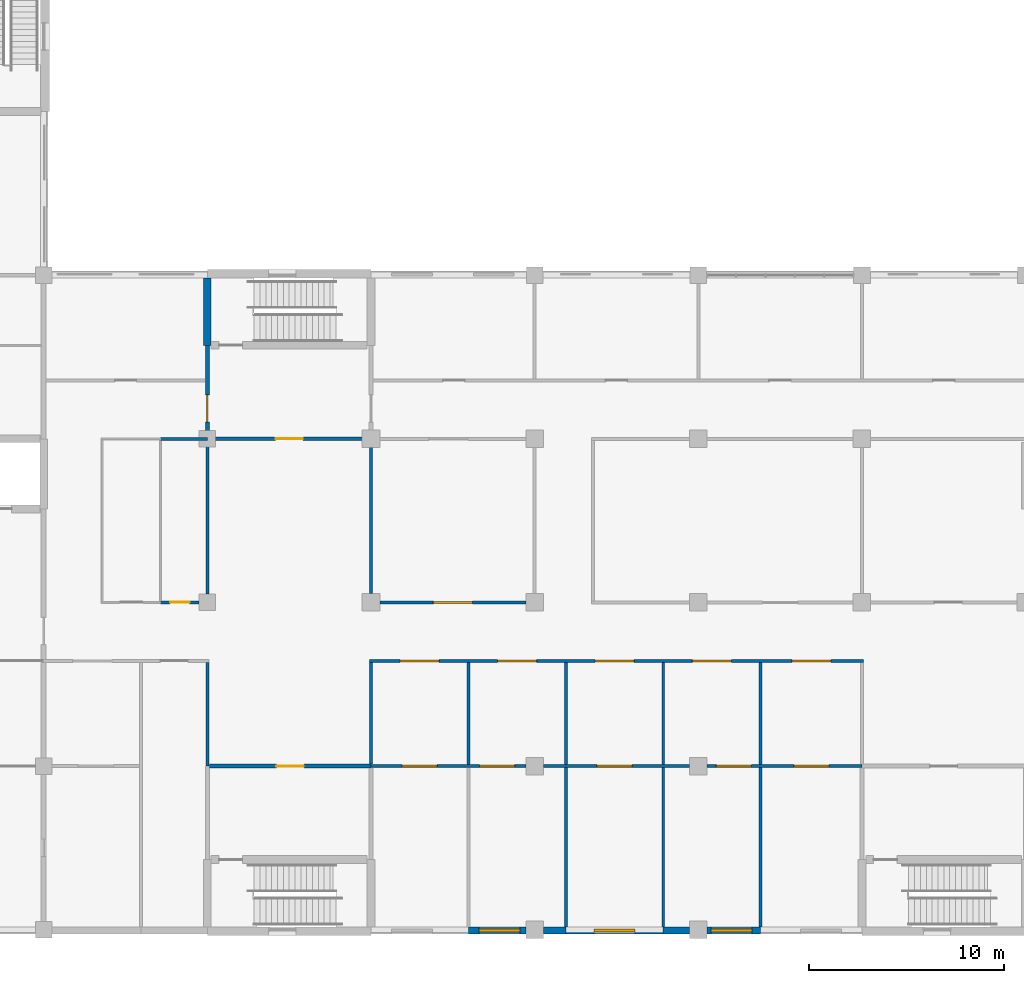
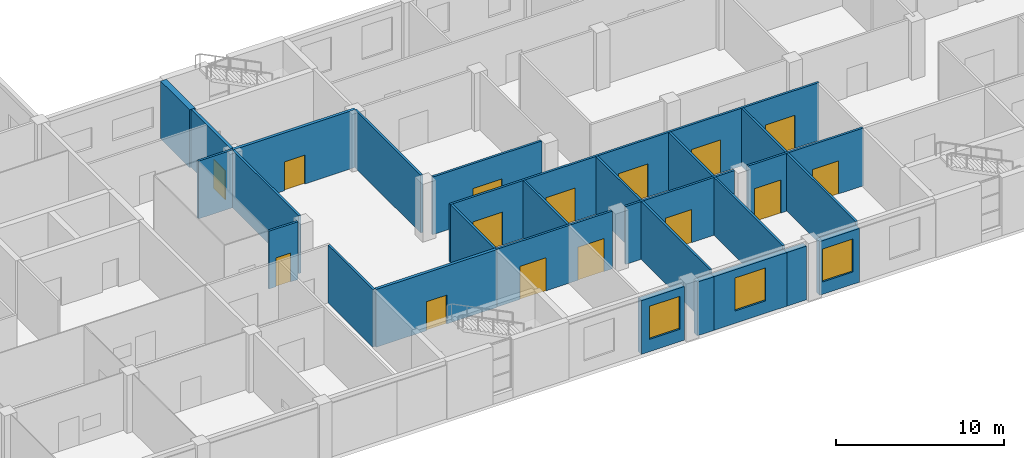
# One storey, part 34 of 66: 27 walls, 15 doors, 3 windows, 18 openings.
"""IFC4 building model written with IfcOpenShell, lengths in metres."""

from ifc_helpers import new_model, si_unit, direction, frame, frame_2d, origin, place, context, subcontext, project, spatial, rectangle, extrude, material, layer, layer_set, type_object, element, fill, save


model = new_model("IFC4")

# Units and contexts
model_context = context("Model", 3, precision=1e-05, world=origin(), true_north=direction((0.0, 1.0)))
body_context = subcontext(model_context, "Body", "Model", "MODEL_VIEW")
ifc_project = project(units=[si_unit("LENGTHUNIT", "METRE"), si_unit("AREAUNIT", "SQUARE_METRE"), si_unit("VOLUMEUNIT", "CUBIC_METRE"), si_unit("PLANEANGLEUNIT", "RADIAN"), si_unit("MASSUNIT", "GRAM", prefix="KILO")], contexts=[model_context])

# Site, building, storey
site_placement = place(None, origin())
site = spatial("IfcSite", under=ifc_project, at=site_placement, CompositionType="ELEMENT")
building_placement = place(site_placement, origin())
building = spatial("IfcBuilding", under=site, at=building_placement, Name="Yavir Park General Hospital", CompositionType="ELEMENT")
storey_placement = place(building_placement, frame((0.0, 0.0, 8.39990234375)))
storey = spatial("IfcBuildingStorey", under=building, at=storey_placement, Name="L02", CompositionType="ELEMENT", Elevation=8.39990234375)

# Wall, opening, door
ifc_material_1 = material(Name="Double gypsum board fire partition on steel studs", Category="steel")
ifc_layer_1 = layer(ifc_material_1, 0.199951171875)
ifc_layer_set_1 = layer_set([ifc_layer_1], Name="Double gypsum board fire partition on steel studs")
wall_type_1 = type_object("IfcWallType", Name="Fire-rated partition 200, EI 60", PredefinedType="PARTITIONING", material=ifc_layer_set_1)
wall_1_placement = place(storey_placement, frame((33.699951171875, 8.39990234375, 0.0), z_axis=(0.0, 0.0, 1.0), x_axis=(1.0, 0.0, 0.0)))
wall_1 = element("IfcWall", 1, at=wall_1_placement, inside=storey, type_object=wall_type_1, Name="FP20 L02-011", PredefinedType="PARTITIONING", context=body_context, shape_type="SweptSolid", body=[
    extrude(rectangle(XDim=8.300048828125, YDim=0.199951171875, at=frame_2d((4.14990234375, 0.0))), origin(), (0.0, 0.0, 1.0), 4.2001953125),
])
opening_1_placement = place(wall_1_placement, frame((3.449951171875, 0.0, 0.0)))
opening_1 = element("IfcOpeningElement", 2, at=opening_1_placement, cuts=wall_1, Name="Opening L02.D018", PredefinedType="OPENING", context=body_context, shape_type="SweptSolid", body=[
    extrude(rectangle(XDim=1.39990234375, YDim=2.10009765625, at=frame_2d((0.699951171875, 1.050048828125))), frame((0.0, 0.10986328125, 0.0), z_axis=(0.0, -1.0, 0.0), x_axis=(1.0, 0.0, 0.0)), (0.0, 0.0, 1.0), 0.219970703125),
])
ifc_material_2 = material(Name="Steel frame, fire-resisting timber leaves", Category="steel")
door_type_1 = type_object("IfcDoorType", Name="Double fire door 1400 x 2100, EI 60", OperationType="DOUBLE_DOOR_SINGLE_SWING", PredefinedType="DOOR", material=ifc_material_2)
door_1_placement = place(opening_1_placement, origin())
door_1 = element("IfcDoor", 3, at=door_1_placement, inside=storey, type_object=door_type_1, Name="L02.D018", OperationType="SINGLE_SWING_RIGHT", OverallHeight=2.10009765625, OverallWidth=1.39990234375, PredefinedType="DOOR", context=body_context, shape_type="SweptSolid", body=[
    extrude(rectangle(XDim=1.39990234375, YDim=2.10009765625, at=frame_2d((0.699951171875, 1.050048828125))), frame((0.0, 0.02490234375, 0.0), z_axis=(0.0, -1.0, 0.0), x_axis=(1.0, 0.0, 0.0)), (0.0, 0.0, 1.0), 0.050048828125),
])
fill(opening_1, door_1)

wall_2_placement = place(storey_placement, frame((33.60009765625, 25.199951171875, 0.0), z_axis=(0.0, 0.0, 1.0), x_axis=(1.0, 0.0, 0.0)))
wall_2 = element("IfcWall", 4, at=wall_2_placement, inside=storey, type_object=wall_type_1, Name="FP20 L02-059", PredefinedType="PARTITIONING", context=body_context, shape_type="SweptSolid", body=[
    extrude(rectangle(XDim=8.39990234375, YDim=0.199951171875, at=frame_2d((4.199951171875, 0.0))), origin(), (0.0, 0.0, 1.0), 4.2001953125),
])
opening_2_placement = place(wall_2_placement, frame((3.5, 0.0, 0.0)))
opening_2 = element("IfcOpeningElement", 5, at=opening_2_placement, cuts=wall_2, Name="Opening L02.D074", PredefinedType="OPENING", context=body_context, shape_type="SweptSolid", body=[
    extrude(rectangle(XDim=1.39990234375, YDim=2.10009765625, at=frame_2d((0.699951171875, 1.050048828125))), frame((0.0, 0.10986328125, 0.0), z_axis=(0.0, -1.0, 0.0), x_axis=(1.0, 0.0, 0.0)), (0.0, 0.0, 1.0), 0.219970703125),
])
door_2_placement = place(opening_2_placement, origin())
door_2 = element("IfcDoor", 6, at=door_2_placement, inside=storey, type_object=door_type_1, Name="L02.D074", OperationType="SINGLE_SWING_RIGHT", OverallHeight=2.10009765625, OverallWidth=1.39990234375, PredefinedType="DOOR", context=body_context, shape_type="SweptSolid", body=[
    extrude(rectangle(XDim=1.39990234375, YDim=2.10009765625, at=frame_2d((0.699951171875, 1.050048828125))), frame((0.0, 0.02490234375, 0.0), z_axis=(0.0, -1.0, 0.0), x_axis=(1.0, 0.0, 0.0)), (0.0, 0.0, 1.0), 0.050048828125),
])
fill(opening_2, door_2)

wall_3_placement = place(storey_placement, frame((33.60009765625, 25.300048828125, 0.0), z_axis=(0.0, 0.0, 1.0), x_axis=(0.0, 1.0, 0.0)))
wall_3 = element("IfcWall", 7, at=wall_3_placement, inside=storey, type_object=wall_type_1, Name="FP20 L02-228", PredefinedType="PARTITIONING", context=body_context, shape_type="SweptSolid", body=[
    extrude(rectangle(XDim=4.699951171875, YDim=0.199951171875, at=frame_2d((2.35009765625, 0.0))), origin(), (0.0, 0.0, 1.0), 4.2001953125),
])
opening_3_placement = place(wall_3_placement, frame((0.75, 0.0, 0.0)))
opening_3 = element("IfcOpeningElement", 8, at=opening_3_placement, cuts=wall_3, Name="Opening L02.D176", PredefinedType="OPENING", context=body_context, shape_type="SweptSolid", body=[
    extrude(rectangle(XDim=1.39990234375, YDim=2.10009765625, at=frame_2d((0.699951171875, 1.050048828125))), frame((0.0, 0.10986328125, 0.0), z_axis=(0.0, -1.0, 0.0), x_axis=(1.0, 0.0, 0.0)), (0.0, 0.0, 1.0), 0.219970703125),
])
ifc_material_3 = material(Name="Steel frame, fire-resisting leaves with vision panels", Category="steel")
door_type_2 = type_object("IfcDoorType", Name="Double fire door with vision panels 1400 x 2100, EI 60", OperationType="DOUBLE_DOOR_SINGLE_SWING", PredefinedType="DOOR", material=ifc_material_3)
door_3_placement = place(opening_3_placement, origin())
door_3 = element("IfcDoor", 9, at=door_3_placement, inside=storey, type_object=door_type_2, Name="L02.D176", OperationType="SINGLE_SWING_LEFT", OverallHeight=2.10009765625, OverallWidth=1.39990234375, PredefinedType="DOOR", context=body_context, shape_type="SweptSolid", body=[
    extrude(rectangle(XDim=1.39990234375, YDim=2.10009765625, at=frame_2d((0.699951171875, 1.050048828125))), frame((0.0, 0.030029296875, 0.0), z_axis=(0.0, -1.0, 0.0), x_axis=(1.0, 0.0, 0.0)), (0.0, 0.0, 1.0), 0.06005859375),
])
fill(opening_3, door_3)

# Wall, openings, doors
ifc_material_4 = material(Name="Gypsum board partition on steel studs", Category="steel")
ifc_layer_2 = layer(ifc_material_4, 0.14990234375)
ifc_layer_set_2 = layer_set([ifc_layer_2], Name="Gypsum board partition on steel studs")
wall_type_2 = type_object("IfcWallType", Name="Gypsum board partition 150", PredefinedType="PARTITIONING", material=ifc_layer_set_2)
wall_4_placement = place(storey_placement, frame((42.0, 8.39990234375, 0.0), z_axis=(0.0, 0.0, 1.0), x_axis=(1.0, 0.0, 0.0)))
wall_4 = element("IfcWall", 10, at=wall_4_placement, inside=storey, type_object=wall_type_2, Name="P15 L02-012", PredefinedType="PARTITIONING", context=body_context, shape_type="SweptSolid", body=[
    extrude(rectangle(XDim=7.949951171875, YDim=0.14990234375, at=frame_2d((3.97509765625, 0.0))), origin(), (0.0, 0.0, 1.0), 4.2001953125),
])
opening_4_placement = place(wall_4_placement, frame((1.60009765625, 0.0, 0.0)))
opening_4 = element("IfcOpeningElement", 11, at=opening_4_placement, cuts=wall_4, Name="Opening L02.D019", PredefinedType="OPENING", context=body_context, shape_type="SweptSolid", body=[
    extrude(rectangle(XDim=1.800048828125, YDim=2.39990234375, at=frame_2d((0.89990234375, 1.199951171875))), frame((0.0, 0.0849609375, 0.0), z_axis=(0.0, -1.0, 0.0), x_axis=(1.0, 0.0, 0.0)), (0.0, 0.0, 1.0), 0.169921875),
])
opening_5_placement = place(wall_4_placement, frame((5.574951171875, 0.0, 0.0)))
opening_5 = element("IfcOpeningElement", 12, at=opening_5_placement, cuts=wall_4, Name="Opening L02.D020", PredefinedType="OPENING", context=body_context, shape_type="SweptSolid", body=[
    extrude(rectangle(XDim=1.800048828125, YDim=2.39990234375, at=frame_2d((0.89990234375, 1.199951171875))), frame((0.0, 0.0849609375, 0.0), z_axis=(0.0, -1.0, 0.0), x_axis=(1.0, 0.0, 0.0)), (0.0, 0.0, 1.0), 0.169921875),
])
ifc_material_5 = material(Name="Hermetic steel-faced sliding leaves, hygienic coating", Category="steel")
door_type_3 = type_object("IfcDoorType", Name="Sterile bi-parting sliding door 1800 x 2400", OperationType="DOUBLE_DOOR_SLIDING", PredefinedType="DOOR", material=ifc_material_5)
door_4_placement = place(opening_4_placement, origin())
door_4 = element("IfcDoor", 13, at=door_4_placement, inside=storey, type_object=door_type_3, Name="L02.D019", OperationType="DOUBLE_DOOR_SLIDING", OverallHeight=2.39990234375, OverallWidth=1.800048828125, PredefinedType="DOOR", context=body_context, shape_type="SweptSolid", body=[
    extrude(rectangle(XDim=1.800048828125, YDim=2.39990234375, at=frame_2d((0.89990234375, 1.199951171875))), frame((0.0, 0.044921875, 0.0), z_axis=(0.0, -1.0, 0.0), x_axis=(1.0, 0.0, 0.0)), (0.0, 0.0, 1.0), 0.090087890625),
])
fill(opening_4, door_4)
door_5_placement = place(opening_5_placement, origin())
door_5 = element("IfcDoor", 14, at=door_5_placement, inside=storey, type_object=door_type_3, Name="L02.D020", OperationType="DOUBLE_DOOR_SLIDING", OverallHeight=2.39990234375, OverallWidth=1.800048828125, PredefinedType="DOOR", context=body_context, shape_type="SweptSolid", body=[
    extrude(rectangle(XDim=1.800048828125, YDim=2.39990234375, at=frame_2d((0.89990234375, 1.199951171875))), frame((0.0, 0.044921875, 0.0), z_axis=(0.0, -1.0, 0.0), x_axis=(1.0, 0.0, 0.0)), (0.0, 0.0, 1.0), 0.090087890625),
])
fill(opening_5, door_5)

# Wall, opening, door
wall_5_placement = place(storey_placement, frame((50.85009765625, 8.39990234375, 0.0), z_axis=(0.0, 0.0, 1.0), x_axis=(1.0, 0.0, 0.0)))
wall_5 = element("IfcWall", 15, at=wall_5_placement, inside=storey, type_object=wall_type_2, Name="P15 L02-013", PredefinedType="PARTITIONING", context=body_context, shape_type="SweptSolid", body=[
    extrude(rectangle(XDim=7.5, YDim=0.14990234375, at=frame_2d((3.75, 0.0))), origin(), (0.0, 0.0, 1.0), 4.2001953125),
])
opening_6_placement = place(wall_5_placement, frame((2.75, 0.0, 0.0)))
opening_6 = element("IfcOpeningElement", 16, at=opening_6_placement, cuts=wall_5, Name="Opening L02.D021", PredefinedType="OPENING", context=body_context, shape_type="SweptSolid", body=[
    extrude(rectangle(XDim=1.800048828125, YDim=2.39990234375, at=frame_2d((0.89990234375, 1.199951171875))), frame((0.0, 0.0849609375, 0.0), z_axis=(0.0, -1.0, 0.0), x_axis=(1.0, 0.0, 0.0)), (0.0, 0.0, 1.0), 0.169921875),
])
door_6_placement = place(opening_6_placement, origin())
door_6 = element("IfcDoor", 17, at=door_6_placement, inside=storey, type_object=door_type_3, Name="L02.D021", OperationType="DOUBLE_DOOR_SLIDING", OverallHeight=2.39990234375, OverallWidth=1.800048828125, PredefinedType="DOOR", context=body_context, shape_type="SweptSolid", body=[
    extrude(rectangle(XDim=1.800048828125, YDim=2.39990234375, at=frame_2d((0.89990234375, 1.199951171875))), frame((0.0, 0.044921875, 0.0), z_axis=(0.0, -1.0, 0.0), x_axis=(1.0, 0.0, 0.0)), (0.0, 0.0, 1.0), 0.090087890625),
])
fill(opening_6, door_6)

# Wall, openings, doors
wall_6_placement = place(storey_placement, frame((59.25, 8.39990234375, 0.0), z_axis=(0.0, 0.0, 1.0), x_axis=(1.0, 0.0, 0.0)))
wall_6 = element("IfcWall", 18, at=wall_6_placement, inside=storey, type_object=wall_type_2, Name="P15 L02-014", PredefinedType="PARTITIONING", context=body_context, shape_type="SweptSolid", body=[
    extrude(rectangle(XDim=7.949951171875, YDim=0.14990234375, at=frame_2d((3.97509765625, 0.0))), origin(), (0.0, 0.0, 1.0), 4.2001953125),
])
opening_7_placement = place(wall_6_placement, frame((0.47509765625, 0.0, 0.0)))
opening_7 = element("IfcOpeningElement", 19, at=opening_7_placement, cuts=wall_6, Name="Opening L02.D022", PredefinedType="OPENING", context=body_context, shape_type="SweptSolid", body=[
    extrude(rectangle(XDim=1.800048828125, YDim=2.39990234375, at=frame_2d((0.89990234375, 1.199951171875))), frame((0.0, 0.0849609375, 0.0), z_axis=(0.0, -1.0, 0.0), x_axis=(1.0, 0.0, 0.0)), (0.0, 0.0, 1.0), 0.169921875),
])
opening_8_placement = place(wall_6_placement, frame((4.449951171875, 0.0, 0.0)))
opening_8 = element("IfcOpeningElement", 20, at=opening_8_placement, cuts=wall_6, Name="Opening L02.D023", PredefinedType="OPENING", context=body_context, shape_type="SweptSolid", body=[
    extrude(rectangle(XDim=1.800048828125, YDim=2.39990234375, at=frame_2d((0.89990234375, 1.199951171875))), frame((0.0, 0.0849609375, 0.0), z_axis=(0.0, -1.0, 0.0), x_axis=(1.0, 0.0, 0.0)), (0.0, 0.0, 1.0), 0.169921875),
])
door_7_placement = place(opening_7_placement, origin())
door_7 = element("IfcDoor", 21, at=door_7_placement, inside=storey, type_object=door_type_3, Name="L02.D022", OperationType="DOUBLE_DOOR_SLIDING", OverallHeight=2.39990234375, OverallWidth=1.800048828125, PredefinedType="DOOR", context=body_context, shape_type="SweptSolid", body=[
    extrude(rectangle(XDim=1.800048828125, YDim=2.39990234375, at=frame_2d((0.89990234375, 1.199951171875))), frame((0.0, 0.044921875, 0.0), z_axis=(0.0, -1.0, 0.0), x_axis=(1.0, 0.0, 0.0)), (0.0, 0.0, 1.0), 0.090087890625),
])
fill(opening_7, door_7)
door_8_placement = place(opening_8_placement, origin())
door_8 = element("IfcDoor", 22, at=door_8_placement, inside=storey, type_object=door_type_3, Name="L02.D023", OperationType="DOUBLE_DOOR_SLIDING", OverallHeight=2.39990234375, OverallWidth=1.800048828125, PredefinedType="DOOR", context=body_context, shape_type="SweptSolid", body=[
    extrude(rectangle(XDim=1.800048828125, YDim=2.39990234375, at=frame_2d((0.89990234375, 1.199951171875))), frame((0.0, 0.044921875, 0.0), z_axis=(0.0, -1.0, 0.0), x_axis=(1.0, 0.0, 0.0)), (0.0, 0.0, 1.0), 0.090087890625),
])
fill(opening_8, door_8)

wall_7_placement = place(storey_placement, frame((41.925048828125, 13.800048828125, 0.0), z_axis=(0.0, 0.0, 1.0), x_axis=(1.0, 0.0, 0.0)))
wall_7 = element("IfcWall", 23, at=wall_7_placement, inside=storey, type_object=wall_type_2, Name="P15 L02-028", PredefinedType="PARTITIONING", context=body_context, shape_type="SweptSolid", body=[
    extrude(rectangle(XDim=25.349853515625, YDim=0.14990234375, at=frame_2d((12.6748046875, 0.0))), origin(), (0.0, 0.0, 1.0), 4.2001953125),
])
opening_9_placement = place(wall_7_placement, frame((1.574951171875, 0.0, 0.0)))
opening_9 = element("IfcOpeningElement", 24, at=opening_9_placement, cuts=wall_7, Name="Opening L02.D043", PredefinedType="OPENING", context=body_context, shape_type="SweptSolid", body=[
    extrude(rectangle(XDim=2.0, YDim=2.39990234375, at=frame_2d((1.0, 1.199951171875))), frame((0.0, 0.0849609375, 0.0), z_axis=(0.0, -1.0, 0.0), x_axis=(1.0, 0.0, 0.0)), (0.0, 0.0, 1.0), 0.169921875),
])
opening_10_placement = place(wall_7_placement, frame((6.574951171875, 0.0, 0.0)))
opening_10 = element("IfcOpeningElement", 25, at=opening_10_placement, cuts=wall_7, Name="Opening L02.D044", PredefinedType="OPENING", context=body_context, shape_type="SweptSolid", body=[
    extrude(rectangle(XDim=2.0, YDim=2.39990234375, at=frame_2d((1.0, 1.199951171875))), frame((0.0, 0.0849609375, 0.0), z_axis=(0.0, -1.0, 0.0), x_axis=(1.0, 0.0, 0.0)), (0.0, 0.0, 1.0), 0.169921875),
])
opening_11_placement = place(wall_7_placement, frame((11.574951171875, 0.0, 0.0)))
opening_11 = element("IfcOpeningElement", 26, at=opening_11_placement, cuts=wall_7, Name="Opening L02.D045", PredefinedType="OPENING", context=body_context, shape_type="SweptSolid", body=[
    extrude(rectangle(XDim=2.0, YDim=2.39990234375, at=frame_2d((1.0, 1.199951171875))), frame((0.0, 0.0849609375, 0.0), z_axis=(0.0, -1.0, 0.0), x_axis=(1.0, 0.0, 0.0)), (0.0, 0.0, 1.0), 0.169921875),
])
opening_12_placement = place(wall_7_placement, frame((16.574951171875, 0.0, 0.0)))
opening_12 = element("IfcOpeningElement", 27, at=opening_12_placement, cuts=wall_7, Name="Opening L02.D046", PredefinedType="OPENING", context=body_context, shape_type="SweptSolid", body=[
    extrude(rectangle(XDim=2.0, YDim=2.39990234375, at=frame_2d((1.0, 1.199951171875))), frame((0.0, 0.0849609375, 0.0), z_axis=(0.0, -1.0, 0.0), x_axis=(1.0, 0.0, 0.0)), (0.0, 0.0, 1.0), 0.169921875),
])
opening_13_placement = place(wall_7_placement, frame((21.675048828125, 0.0, 0.0)))
opening_13 = element("IfcOpeningElement", 28, at=opening_13_placement, cuts=wall_7, Name="Opening L02.D047", PredefinedType="OPENING", context=body_context, shape_type="SweptSolid", body=[
    extrude(rectangle(XDim=2.0, YDim=2.39990234375, at=frame_2d((1.0, 1.199951171875))), frame((0.0, 0.0849609375, 0.0), z_axis=(0.0, -1.0, 0.0), x_axis=(1.0, 0.0, 0.0)), (0.0, 0.0, 1.0), 0.169921875),
])
ifc_material_6 = material(Name="Hermetic steel-faced sliding leaves, hygienic coating", Category="steel")
door_type_4 = type_object("IfcDoorType", Name="Sterile bi-parting sliding door 2000 x 2400", OperationType="DOUBLE_DOOR_SLIDING", PredefinedType="DOOR", material=ifc_material_6)
door_9_placement = place(opening_9_placement, origin())
door_9 = element("IfcDoor", 29, at=door_9_placement, inside=storey, type_object=door_type_4, Name="L02.D043", OperationType="DOUBLE_DOOR_SLIDING", OverallHeight=2.39990234375, OverallWidth=2.0, PredefinedType="DOOR", context=body_context, shape_type="SweptSolid", body=[
    extrude(rectangle(XDim=2.0, YDim=2.39990234375, at=frame_2d((1.0, 1.199951171875))), frame((0.0, 0.044921875, 0.0), z_axis=(0.0, -1.0, 0.0), x_axis=(1.0, 0.0, 0.0)), (0.0, 0.0, 1.0), 0.090087890625),
])
fill(opening_9, door_9)
door_10_placement = place(opening_10_placement, origin())
door_10 = element("IfcDoor", 30, at=door_10_placement, inside=storey, type_object=door_type_4, Name="L02.D044", OperationType="DOUBLE_DOOR_SLIDING", OverallHeight=2.39990234375, OverallWidth=2.0, PredefinedType="DOOR", context=body_context, shape_type="SweptSolid", body=[
    extrude(rectangle(XDim=2.0, YDim=2.39990234375, at=frame_2d((1.0, 1.199951171875))), frame((0.0, 0.044921875, 0.0), z_axis=(0.0, -1.0, 0.0), x_axis=(1.0, 0.0, 0.0)), (0.0, 0.0, 1.0), 0.090087890625),
])
fill(opening_10, door_10)
door_11_placement = place(opening_11_placement, origin())
door_11 = element("IfcDoor", 31, at=door_11_placement, inside=storey, type_object=door_type_4, Name="L02.D045", OperationType="DOUBLE_DOOR_SLIDING", OverallHeight=2.39990234375, OverallWidth=2.0, PredefinedType="DOOR", context=body_context, shape_type="SweptSolid", body=[
    extrude(rectangle(XDim=2.0, YDim=2.39990234375, at=frame_2d((1.0, 1.199951171875))), frame((0.0, 0.044921875, 0.0), z_axis=(0.0, -1.0, 0.0), x_axis=(1.0, 0.0, 0.0)), (0.0, 0.0, 1.0), 0.090087890625),
])
fill(opening_11, door_11)
door_12_placement = place(opening_12_placement, origin())
door_12 = element("IfcDoor", 32, at=door_12_placement, inside=storey, type_object=door_type_4, Name="L02.D046", OperationType="DOUBLE_DOOR_SLIDING", OverallHeight=2.39990234375, OverallWidth=2.0, PredefinedType="DOOR", context=body_context, shape_type="SweptSolid", body=[
    extrude(rectangle(XDim=2.0, YDim=2.39990234375, at=frame_2d((1.0, 1.199951171875))), frame((0.0, 0.044921875, 0.0), z_axis=(0.0, -1.0, 0.0), x_axis=(1.0, 0.0, 0.0)), (0.0, 0.0, 1.0), 0.090087890625),
])
fill(opening_12, door_12)
door_13_placement = place(opening_13_placement, origin())
door_13 = element("IfcDoor", 33, at=door_13_placement, inside=storey, type_object=door_type_4, Name="L02.D047", OperationType="DOUBLE_DOOR_SLIDING", OverallHeight=2.39990234375, OverallWidth=2.0, PredefinedType="DOOR", context=body_context, shape_type="SweptSolid", body=[
    extrude(rectangle(XDim=2.0, YDim=2.39990234375, at=frame_2d((1.0, 1.199951171875))), frame((0.0, 0.044921875, 0.0), z_axis=(0.0, -1.0, 0.0), x_axis=(1.0, 0.0, 0.0)), (0.0, 0.0, 1.0), 0.090087890625),
])
fill(opening_13, door_13)

# Wall, opening, door
wall_8_placement = place(storey_placement, frame((31.199951171875, 16.800048828125, 0.0), z_axis=(0.0, 0.0, 1.0), x_axis=(1.0, 0.0, 0.0)))
wall_8 = element("IfcWall", 34, at=wall_8_placement, inside=storey, type_object=wall_type_2, Name="P15 L02-038", PredefinedType="PARTITIONING", context=body_context, shape_type="SweptSolid", body=[
    extrude(rectangle(XDim=1.97509765625, YDim=0.14990234375, at=frame_2d((0.987548828125, 0.0))), origin(), (0.0, 0.0, 1.0), 4.2001953125),
])
opening_14_placement = place(wall_8_placement, frame((0.487548828125, 0.0, 0.0)))
opening_14 = element("IfcOpeningElement", 35, at=opening_14_placement, cuts=wall_8, Name="Opening L02.D055", PredefinedType="OPENING", context=body_context, shape_type="SweptSolid", body=[
    extrude(rectangle(XDim=1.0, YDim=2.10009765625, at=frame_2d((0.5, 1.050048828125))), frame((0.0, 0.0849609375, 0.0), z_axis=(0.0, -1.0, 0.0), x_axis=(1.0, 0.0, 0.0)), (0.0, 0.0, 1.0), 0.169921875),
])
ifc_material_7 = material(Name="Hollow metal frame, solid-core timber leaf", Category="wood")
door_type_5 = type_object("IfcDoorType", Name="Single swing door 1000 x 2100", OperationType="SINGLE_SWING_LEFT", PredefinedType="DOOR", material=ifc_material_7)
door_14_placement = place(opening_14_placement, origin())
door_14 = element("IfcDoor", 36, at=door_14_placement, inside=storey, type_object=door_type_5, Name="L02.D055", OperationType="SINGLE_SWING_RIGHT", OverallHeight=2.10009765625, OverallWidth=1.0, PredefinedType="DOOR", context=body_context, shape_type="SweptSolid", body=[
    extrude(rectangle(XDim=1.0, YDim=2.10009765625, at=frame_2d((0.5, 1.050048828125))), frame((0.0, 0.02490234375, 0.0), z_axis=(0.0, -1.0, 0.0), x_axis=(1.0, 0.0, 0.0)), (0.0, 0.0, 1.0), 0.050048828125),
])
fill(opening_14, door_14)

wall_9_placement = place(storey_placement, frame((42.449951171875, 16.800048828125, 0.0), z_axis=(0.0, 0.0, 1.0), x_axis=(1.0, 0.0, 0.0)))
wall_9 = element("IfcWall", 37, at=wall_9_placement, inside=storey, type_object=wall_type_2, Name="P15 L02-039", PredefinedType="PARTITIONING", context=body_context, shape_type="SweptSolid", body=[
    extrude(rectangle(XDim=7.5, YDim=0.14990234375, at=frame_2d((3.75, 0.0))), origin(), (0.0, 0.0, 1.0), 4.2001953125),
])
opening_15_placement = place(wall_9_placement, frame((2.75, 0.0, 0.0)))
opening_15 = element("IfcOpeningElement", 38, at=opening_15_placement, cuts=wall_9, Name="Opening L02.D056", PredefinedType="OPENING", context=body_context, shape_type="SweptSolid", body=[
    extrude(rectangle(XDim=2.0, YDim=2.39990234375, at=frame_2d((1.0, 1.199951171875))), frame((0.0, 0.0849609375, 0.0), z_axis=(0.0, -1.0, 0.0), x_axis=(1.0, 0.0, 0.0)), (0.0, 0.0, 1.0), 0.169921875),
])
door_15_placement = place(opening_15_placement, origin())
door_15 = element("IfcDoor", 39, at=door_15_placement, inside=storey, type_object=door_type_4, Name="L02.D056", OperationType="DOUBLE_DOOR_SLIDING", OverallHeight=2.39990234375, OverallWidth=2.0, PredefinedType="DOOR", context=body_context, shape_type="SweptSolid", body=[
    extrude(rectangle(XDim=2.0, YDim=2.39990234375, at=frame_2d((1.0, 1.199951171875))), frame((0.0, 0.044921875, 0.0), z_axis=(0.0, -1.0, 0.0), x_axis=(1.0, 0.0, 0.0)), (0.0, 0.0, 1.0), 0.090087890625),
])
fill(opening_15, door_15)

# Walls
wall_10_placement = place(storey_placement, frame((31.199951171875, 25.199951171875, 0.0), z_axis=(0.0, 0.0, 1.0), x_axis=(1.0, 0.0, 0.0)))
element("IfcWall", 40, at=wall_10_placement, inside=storey, type_object=wall_type_2, Name="P15 L02-058", PredefinedType="PARTITIONING", context=body_context, shape_type="SweptSolid", body=[
    extrude(rectangle(XDim=2.400146484375, YDim=0.14990234375, at=frame_2d((1.2001953125, 0.0))), origin(), (0.0, 0.0, 1.0), 4.2001953125),
])
wall_11_placement = place(storey_placement, frame((33.60009765625, 8.39990234375, 0.0), z_axis=(0.0, 0.0, 1.0), x_axis=(0.0, 1.0, 0.0)))
element("IfcWall", 41, at=wall_11_placement, inside=storey, type_object=wall_type_2, Name="P15 L02-226", PredefinedType="PARTITIONING", context=body_context, shape_type="SweptSolid", body=[
    extrude(rectangle(XDim=5.3251953125, YDim=0.14990234375, at=frame_2d((2.66259765625, 0.0))), origin(), (0.0, 0.0, 1.0), 4.2001953125),
])
wall_12_placement = place(storey_placement, frame((33.60009765625, 17.22509765625, 0.0), z_axis=(0.0, 0.0, 1.0), x_axis=(0.0, 1.0, 0.0)))
element("IfcWall", 42, at=wall_12_placement, inside=storey, type_object=wall_type_2, Name="P15 L02-227", PredefinedType="PARTITIONING", context=body_context, shape_type="SweptSolid", body=[
    extrude(rectangle(XDim=7.875, YDim=0.14990234375, at=frame_2d((3.9375, 0.0))), origin(), (0.0, 0.0, 1.0), 4.2001953125),
])
wall_13_placement = place(storey_placement, frame((42.0, 8.5, 0.0), z_axis=(0.0, 0.0, 1.0), x_axis=(0.0, 1.0, 0.0)))
element("IfcWall", 43, at=wall_13_placement, inside=storey, type_object=wall_type_2, Name="P15 L02-232", PredefinedType="PARTITIONING", context=body_context, shape_type="SweptSolid", body=[
    extrude(rectangle(XDim=5.22509765625, YDim=0.14990234375, at=frame_2d((2.612548828125, 0.0))), origin(), (0.0, 0.0, 1.0), 4.2001953125),
])
wall_14_placement = place(storey_placement, frame((42.0, 17.25, 0.0), z_axis=(0.0, 0.0, 1.0), x_axis=(0.0, 1.0, 0.0)))
element("IfcWall", 44, at=wall_14_placement, inside=storey, type_object=wall_type_2, Name="P15 L02-233", PredefinedType="PARTITIONING", context=body_context, shape_type="SweptSolid", body=[
    extrude(rectangle(XDim=7.85009765625, YDim=0.14990234375, at=frame_2d((3.925048828125, 0.0))), origin(), (0.0, 0.0, 1.0), 4.2001953125),
])
wall_15_placement = place(storey_placement, frame((47.0, 8.47509765625, 0.0), z_axis=(0.0, 0.0, 1.0), x_axis=(0.0, 1.0, 0.0)))
element("IfcWall", 45, at=wall_15_placement, inside=storey, type_object=wall_type_2, Name="P15 L02-237", PredefinedType="PARTITIONING", context=body_context, shape_type="SweptSolid", body=[
    extrude(rectangle(XDim=5.25, YDim=0.14990234375, at=frame_2d((2.625, 0.0))), origin(), (0.0, 0.0, 1.0), 4.2001953125),
])
wall_16_placement = place(storey_placement, frame((52.0, 0.14990234375, 0.0), z_axis=(0.0, 0.0, 1.0), x_axis=(0.0, 1.0, 0.0)))
element("IfcWall", 46, at=wall_16_placement, inside=storey, type_object=wall_type_2, Name="P15 L02-240", PredefinedType="PARTITIONING", context=body_context, shape_type="SweptSolid", body=[
    extrude(rectangle(XDim=8.175048828125, YDim=0.14990234375, at=frame_2d((4.08740234375, 0.0))), origin(), (0.0, 0.0, 1.0), 4.2001953125),
])
wall_17_placement = place(storey_placement, frame((52.0, 8.47509765625, 0.0), z_axis=(0.0, 0.0, 1.0), x_axis=(0.0, 1.0, 0.0)))
element("IfcWall", 47, at=wall_17_placement, inside=storey, type_object=wall_type_2, Name="P15 L02-241", PredefinedType="PARTITIONING", context=body_context, shape_type="SweptSolid", body=[
    extrude(rectangle(XDim=5.25, YDim=0.14990234375, at=frame_2d((2.625, 0.0))), origin(), (0.0, 0.0, 1.0), 4.2001953125),
])
wall_18_placement = place(storey_placement, frame((57.0, 0.14990234375, 0.0), z_axis=(0.0, 0.0, 1.0), x_axis=(0.0, 1.0, 0.0)))
element("IfcWall", 48, at=wall_18_placement, inside=storey, type_object=wall_type_2, Name="P15 L02-243", PredefinedType="PARTITIONING", context=body_context, shape_type="SweptSolid", body=[
    extrude(rectangle(XDim=8.175048828125, YDim=0.14990234375, at=frame_2d((4.08740234375, 0.0))), origin(), (0.0, 0.0, 1.0), 4.2001953125),
])
wall_19_placement = place(storey_placement, frame((57.0, 8.47509765625, 0.0), z_axis=(0.0, 0.0, 1.0), x_axis=(0.0, 1.0, 0.0)))
element("IfcWall", 49, at=wall_19_placement, inside=storey, type_object=wall_type_2, Name="P15 L02-244", PredefinedType="PARTITIONING", context=body_context, shape_type="SweptSolid", body=[
    extrude(rectangle(XDim=5.25, YDim=0.14990234375, at=frame_2d((2.625, 0.0))), origin(), (0.0, 0.0, 1.0), 4.2001953125),
])
wall_20_placement = place(storey_placement, frame((62.0, 0.14990234375, 0.0), z_axis=(0.0, 0.0, 1.0), x_axis=(0.0, 1.0, 0.0)))
element("IfcWall", 50, at=wall_20_placement, inside=storey, type_object=wall_type_2, Name="P15 L02-246", PredefinedType="PARTITIONING", context=body_context, shape_type="SweptSolid", body=[
    extrude(rectangle(XDim=8.175048828125, YDim=0.14990234375, at=frame_2d((4.08740234375, 0.0))), origin(), (0.0, 0.0, 1.0), 4.2001953125),
])
wall_21_placement = place(storey_placement, frame((62.0, 8.47509765625, 0.0), z_axis=(0.0, 0.0, 1.0), x_axis=(0.0, 1.0, 0.0)))
element("IfcWall", 51, at=wall_21_placement, inside=storey, type_object=wall_type_2, Name="P15 L02-247", PredefinedType="PARTITIONING", context=body_context, shape_type="SweptSolid", body=[
    extrude(rectangle(XDim=5.25, YDim=0.14990234375, at=frame_2d((2.625, 0.0))), origin(), (0.0, 0.0, 1.0), 4.2001953125),
])

# Wall, opening, window
ifc_material_8 = material(Name="Autoclaved aerated block, 150 mm mineral wool and sand-coloured mineral render")
ifc_layer_3 = layer(ifc_material_8, 0.375)
ifc_layer_set_3 = layer_set([ifc_layer_3], Name="Autoclaved aerated block, 150 mm mineral wool and sand-coloured mineral render")
wall_type_3 = type_object("IfcWallType", Name="Mineral render clinical wall 375, E 30", PredefinedType="SOLIDWALL", material=ifc_layer_set_3)
wall_22_placement = place(storey_placement, frame((47.0, -0.03759765625, 0.0), z_axis=(0.0, 0.0, 1.0), x_axis=(1.0, 0.0, 0.0)))
wall_22 = element("IfcWall", 52, at=wall_22_placement, inside=storey, type_object=wall_type_3, Name="XW1 L02-010", PredefinedType="SOLIDWALL", context=body_context, shape_type="SweptSolid", body=[
    extrude(rectangle(XDim=2.949951171875, YDim=0.375, at=frame_2d((1.47509765625, 0.0))), origin(), (0.0, 0.0, 1.0), 3.900146484375),
])
opening_16_placement = place(wall_22_placement, frame((0.550048828125, 0.0, 0.89990234375)))
opening_16 = element("IfcOpeningElement", 53, at=opening_16_placement, cuts=wall_22, Name="Opening LVO2", PredefinedType="OPENING", context=body_context, shape_type="SweptSolid", body=[
    extrude(rectangle(XDim=2.10009765625, YDim=2.39990234375, at=frame_2d((1.050048828125, 1.199951171875))), frame((0.0, 0.197509765625, 0.0), z_axis=(0.0, -1.0, 0.0), x_axis=(1.0, 0.0, 0.0)), (0.0, 0.0, 1.0), 0.39501953125),
])
ifc_material_9 = material(Name="Anodised aluminium louvre blades in a deep frame", Category="aluminium")
window_type = type_object("IfcWindowType", Name="Tall fixed louvre panel with insulated back panel 2100 x 2400", PartitioningType="SINGLE_PANEL", PredefinedType="WINDOW", material=ifc_material_9)
window_1_placement = place(opening_16_placement, origin())
window_1 = element("IfcWindow", 54, at=window_1_placement, inside=storey, type_object=window_type, Name="LVO2 L02-002", OverallHeight=2.39990234375, OverallWidth=2.10009765625, PartitioningType="SINGLE_PANEL", PredefinedType="WINDOW", context=body_context, shape_type="SweptSolid", body=[
    extrude(rectangle(XDim=2.10009765625, YDim=2.39990234375, at=frame_2d((1.050048828125, 1.199951171875))), frame((0.0, 0.074951171875, 0.0), z_axis=(0.0, -1.0, 0.0), x_axis=(1.0, 0.0, 0.0)), (0.0, 0.0, 1.0), 0.14990234375),
])
fill(opening_16, window_1)

# Wall
wall_23_placement = place(storey_placement, frame((50.85009765625, -0.03759765625, 0.0), z_axis=(0.0, 0.0, 1.0), x_axis=(1.0, 0.0, 0.0)))
element("IfcWall", 55, at=wall_23_placement, inside=storey, type_object=wall_type_3, Name="XW1 L02-011", PredefinedType="SOLIDWALL", context=body_context, shape_type="SweptSolid", body=[
    extrude(rectangle(XDim=1.14990234375, YDim=0.375, at=frame_2d((0.574951171875, 0.0))), origin(), (0.0, 0.0, 1.0), 3.900146484375),
])

# Wall, opening, window
wall_24_placement = place(storey_placement, frame((52.0, -0.03759765625, 0.0), z_axis=(0.0, 0.0, 1.0), x_axis=(1.0, 0.0, 0.0)))
wall_24 = element("IfcWall", 56, at=wall_24_placement, inside=storey, type_object=wall_type_3, Name="XW1 L02-012", PredefinedType="SOLIDWALL", context=body_context, shape_type="SweptSolid", body=[
    extrude(rectangle(XDim=5.0, YDim=0.375, at=frame_2d((2.5, 0.0))), origin(), (0.0, 0.0, 1.0), 3.900146484375),
])
opening_17_placement = place(wall_24_placement, frame((1.449951171875, 0.0, 0.89990234375)))
opening_17 = element("IfcOpeningElement", 57, at=opening_17_placement, cuts=wall_24, Name="Opening LVO2", PredefinedType="OPENING", context=body_context, shape_type="SweptSolid", body=[
    extrude(rectangle(XDim=2.10009765625, YDim=2.39990234375, at=frame_2d((1.050048828125, 1.199951171875))), frame((0.0, 0.197509765625, 0.0), z_axis=(0.0, -1.0, 0.0), x_axis=(1.0, 0.0, 0.0)), (0.0, 0.0, 1.0), 0.39501953125),
])
window_2_placement = place(opening_17_placement, origin())
window_2 = element("IfcWindow", 58, at=window_2_placement, inside=storey, type_object=window_type, Name="LVO2 L02-003", OverallHeight=2.39990234375, OverallWidth=2.10009765625, PartitioningType="SINGLE_PANEL", PredefinedType="WINDOW", context=body_context, shape_type="SweptSolid", body=[
    extrude(rectangle(XDim=2.10009765625, YDim=2.39990234375, at=frame_2d((1.050048828125, 1.199951171875))), frame((0.0, 0.074951171875, 0.0), z_axis=(0.0, -1.0, 0.0), x_axis=(1.0, 0.0, 0.0)), (0.0, 0.0, 1.0), 0.14990234375),
])
fill(opening_17, window_2)

# Wall
wall_25_placement = place(storey_placement, frame((57.0, -0.03759765625, 0.0), z_axis=(0.0, 0.0, 1.0), x_axis=(1.0, 0.0, 0.0)))
element("IfcWall", 59, at=wall_25_placement, inside=storey, type_object=wall_type_3, Name="XW1 L02-013", PredefinedType="SOLIDWALL", context=body_context, shape_type="SweptSolid", body=[
    extrude(rectangle(XDim=1.35009765625, YDim=0.375, at=frame_2d((0.675048828125, 0.0))), origin(), (0.0, 0.0, 1.0), 3.900146484375),
])

# Wall, opening, window
wall_26_placement = place(storey_placement, frame((59.25, -0.03759765625, 0.0), z_axis=(0.0, 0.0, 1.0), x_axis=(1.0, 0.0, 0.0)))
wall_26 = element("IfcWall", 60, at=wall_26_placement, inside=storey, type_object=wall_type_3, Name="XW1 L02-014", PredefinedType="SOLIDWALL", context=body_context, shape_type="SweptSolid", body=[
    extrude(rectangle(XDim=2.75, YDim=0.375, at=frame_2d((1.375, 0.0))), origin(), (0.0, 0.0, 1.0), 3.900146484375),
])
opening_18_placement = place(wall_26_placement, frame((0.199951171875, 0.0, 0.89990234375)))
opening_18 = element("IfcOpeningElement", 61, at=opening_18_placement, cuts=wall_26, Name="Opening LVO2", PredefinedType="OPENING", context=body_context, shape_type="SweptSolid", body=[
    extrude(rectangle(XDim=2.10009765625, YDim=2.39990234375, at=frame_2d((1.050048828125, 1.199951171875))), frame((0.0, 0.197509765625, 0.0), z_axis=(0.0, -1.0, 0.0), x_axis=(1.0, 0.0, 0.0)), (0.0, 0.0, 1.0), 0.39501953125),
])
window_3_placement = place(opening_18_placement, origin())
window_3 = element("IfcWindow", 62, at=window_3_placement, inside=storey, type_object=window_type, Name="LVO2 L02-004", OverallHeight=2.39990234375, OverallWidth=2.10009765625, PartitioningType="SINGLE_PANEL", PredefinedType="WINDOW", context=body_context, shape_type="SweptSolid", body=[
    extrude(rectangle(XDim=2.10009765625, YDim=2.39990234375, at=frame_2d((1.050048828125, 1.199951171875))), frame((0.0, 0.074951171875, 0.0), z_axis=(0.0, -1.0, 0.0), x_axis=(1.0, 0.0, 0.0)), (0.0, 0.0, 1.0), 0.14990234375),
])
fill(opening_18, window_3)

# Wall
ifc_material_10 = material(Name="Concrete C35/45", Category="concrete")
ifc_layer_4 = layer(ifc_material_10, 0.39990234375)
ifc_layer_set_4 = layer_set([ifc_layer_4], Name="Concrete C35/45")
wall_type_4 = type_object("IfcWallType", Name="Reinforced concrete core wall 400, REI 150", PredefinedType="SHEAR", material=ifc_layer_set_4)
wall_27_placement = place(storey_placement, frame((33.60009765625, 30.0, 0.0), z_axis=(0.0, 0.0, 1.0), x_axis=(0.0, 1.0, 0.0)))
element("IfcWall", 63, at=wall_27_placement, inside=storey, type_object=wall_type_4, Name="CW40 L02-229", PredefinedType="SHEAR", context=body_context, shape_type="SweptSolid", body=[
    extrude(rectangle(XDim=3.449951171875, YDim=0.39990234375, at=frame_2d((1.72509765625, 0.0))), origin(), (0.0, 0.0, 1.0), 4.2001953125),
])

save(model, "model.ifc")
